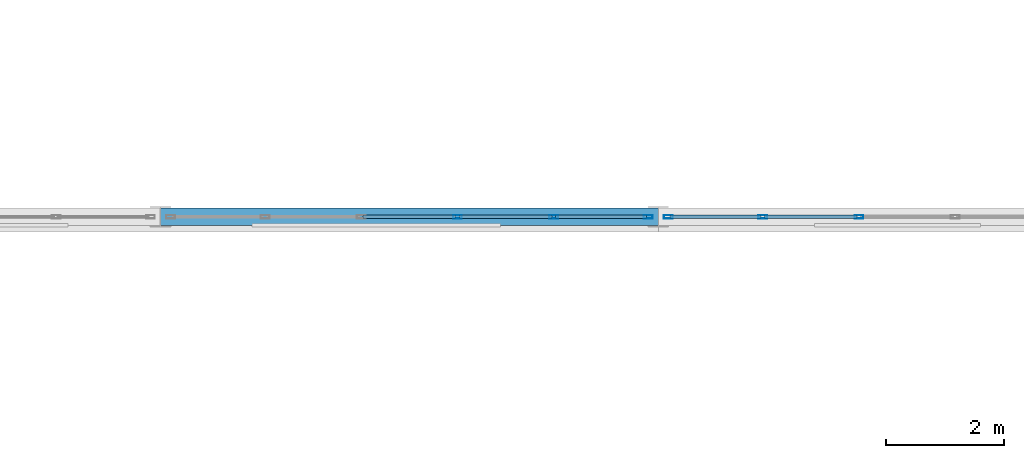
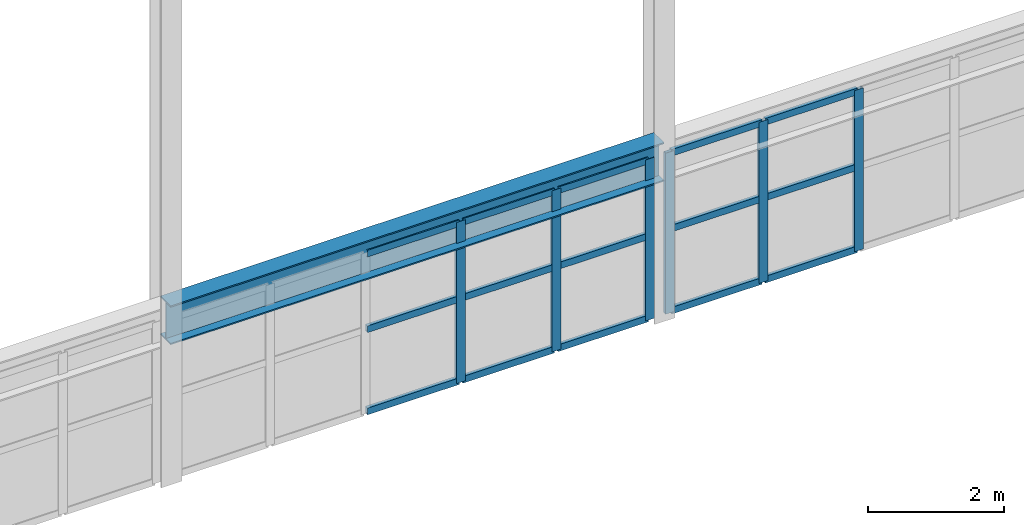
# One storey, part 85 of 218: 21 members, 1 beam, 2 elements without a shape of their own.
"""IFC4 building model written with IfcOpenShell, lengths in metres."""

from ifc_helpers import new_model, si_unit, direction, frame, origin, origin_2d, place, context, subcontext, project, spatial, hollow_rectangle, i_section, extrude, material, material_profile, profile_set, type_object, element, aggregate, save


model = new_model("IFC4")

# Units and contexts
model_context = context("Model", 3, precision=1e-05, world=origin(), true_north=direction((0.0, 1.0)))
body_context = subcontext(model_context, "Body", "Model", "MODEL_VIEW")
ifc_project = project(units=[si_unit("LENGTHUNIT", "METRE"), si_unit("AREAUNIT", "SQUARE_METRE"), si_unit("VOLUMEUNIT", "CUBIC_METRE"), si_unit("PLANEANGLEUNIT", "RADIAN"), si_unit("MASSUNIT", "GRAM", prefix="KILO")], contexts=[model_context])

# Site, building, storey
site_placement = place(None, origin())
site = spatial("IfcSite", under=ifc_project, at=site_placement, CompositionType="ELEMENT")
building_placement = place(site_placement, origin())
building = spatial("IfcBuilding", under=site, at=building_placement, Name="Kazenagashi Tramway Depot", CompositionType="ELEMENT")
storey_placement = place(building_placement, frame((0.0, 0.0, 6.0)))
storey = spatial("IfcBuildingStorey", under=building, at=storey_placement, Name="L02", CompositionType="ELEMENT", Elevation=6.0)

# Beam
ifc_material_1 = material(Name="Steel SN490B", Category="steel")
ifc_material_profile_1 = material_profile(ifc_material_1, i_section(OverallWidth=0.3, OverallDepth=0.7, WebThickness=0.013, FlangeThickness=0.024, at=origin_2d()), Name="H-700x300x13x24")
ifc_profile_set_1 = profile_set([ifc_material_profile_1], Name="Steel SN490B")
beam_type = type_object("IfcBeamType", Name="G-02", PredefinedType="BEAM", material=ifc_profile_set_1)
beam_placement = place(storey_placement, frame((103.6, 54.9, 2.85), z_axis=(1.0, 0.0, 0.0), x_axis=(0.0, 1.0, 0.0)))
element("IfcBeam", 1, at=beam_placement, inside=storey, type_object=beam_type, Name="Beam G-02 BM-1180", PredefinedType="BEAM", context=body_context, shape_type="SweptSolid", body=[
    extrude(i_section(OverallWidth=0.3, OverallDepth=0.7, WebThickness=0.013, FlangeThickness=0.024, at=origin_2d()), origin(), (0.0, 0.0, 1.0), 8.4),
])

# Curtain wall, members
ifc_material_2 = material(Name="Anodised Aluminium and Low-E Glazing", Category="aluminium")
curtain_wall_type = type_object("IfcCurtainWallType", Name="CW-21", PredefinedType="USERDEFINED", material=ifc_material_2)
curtain_wall_1_placement = place(storey_placement, origin())
curtain_wall_1 = element("IfcCurtainWall", 2, at=curtain_wall_1_placement, inside=storey, type_object=curtain_wall_type, Name="Industrial Glazed Screen CW-21 CW-0114", ObjectType="GLAZED SCREEN", PredefinedType="USERDEFINED")
ifc_material_3 = material(Name="Anodised Aluminium", Category="aluminium")
ifc_material_profile_2 = material_profile(ifc_material_3, hollow_rectangle(XDim=0.06, YDim=0.15, WallThickness=0.004, at=origin_2d()), Name="RHS-150x60x4")
ifc_profile_set_2 = profile_set([ifc_material_profile_2], Name="Anodised Aluminium")
member_type_1 = type_object("IfcMemberType", Name="ML-01", PredefinedType="MULLION", material=ifc_profile_set_2)
member_1_placement = place(storey_placement, frame((108.612, 54.9, 0.0), z_axis=(0.0, 0.0, 1.0), x_axis=(0.0, 1.0, 0.0)))
member_1 = element("IfcMember", 3, at=member_1_placement, type_object=member_type_1, Name="CW-21 mullion 4", PredefinedType="MULLION", context=body_context, shape_type="SweptSolid", body=[
    extrude(hollow_rectangle(XDim=0.06, YDim=0.15, WallThickness=0.004, at=origin_2d()), origin(), (0.0, 0.0, 1.0), 2.9),
])
member_2_placement = place(storey_placement, frame((110.236, 54.9, 0.0), z_axis=(0.0, 0.0, 1.0), x_axis=(0.0, 1.0, 0.0)))
member_2 = element("IfcMember", 4, at=member_2_placement, type_object=member_type_1, Name="CW-21 mullion 5", PredefinedType="MULLION", context=body_context, shape_type="SweptSolid", body=[
    extrude(hollow_rectangle(XDim=0.06, YDim=0.15, WallThickness=0.004, at=origin_2d()), origin(), (0.0, 0.0, 1.0), 2.9),
])
member_3_placement = place(storey_placement, frame((111.83, 54.9, 0.0), z_axis=(0.0, 0.0, 1.0), x_axis=(0.0, 1.0, 0.0)))
member_3 = element("IfcMember", 5, at=member_3_placement, type_object=member_type_1, Name="CW-21 mullion 6", PredefinedType="MULLION", context=body_context, shape_type="SweptSolid", body=[
    extrude(hollow_rectangle(XDim=0.06, YDim=0.15, WallThickness=0.004, at=origin_2d()), origin(), (0.0, 0.0, 1.0), 2.9),
])

curtain_wall_2_placement = place(storey_placement, origin())
curtain_wall_2 = element("IfcCurtainWall", 6, at=curtain_wall_2_placement, inside=storey, type_object=curtain_wall_type, Name="Industrial Glazed Screen CW-21 CW-0115", ObjectType="GLAZED SCREEN", PredefinedType="USERDEFINED")
member_4_placement = place(storey_placement, frame((112.17, 54.9, 0.0), z_axis=(0.0, 0.0, 1.0), x_axis=(0.0, 1.0, 0.0)))
member_4 = element("IfcMember", 7, at=member_4_placement, type_object=member_type_1, Name="CW-21 mullion 1", PredefinedType="MULLION", context=body_context, shape_type="SweptSolid", body=[
    extrude(hollow_rectangle(XDim=0.06, YDim=0.15, WallThickness=0.004, at=origin_2d()), origin(), (0.0, 0.0, 1.0), 2.9),
])
member_5_placement = place(storey_placement, frame((113.764, 54.9, 0.0), z_axis=(0.0, 0.0, 1.0), x_axis=(0.0, 1.0, 0.0)))
member_5 = element("IfcMember", 8, at=member_5_placement, type_object=member_type_1, Name="CW-21 mullion 2", PredefinedType="MULLION", context=body_context, shape_type="SweptSolid", body=[
    extrude(hollow_rectangle(XDim=0.06, YDim=0.15, WallThickness=0.004, at=origin_2d()), origin(), (0.0, 0.0, 1.0), 2.9),
])
member_6_placement = place(storey_placement, frame((115.388, 54.9, 0.0), z_axis=(0.0, 0.0, 1.0), x_axis=(0.0, 1.0, 0.0)))
member_6 = element("IfcMember", 9, at=member_6_placement, type_object=member_type_1, Name="CW-21 mullion 3", PredefinedType="MULLION", context=body_context, shape_type="SweptSolid", body=[
    extrude(hollow_rectangle(XDim=0.06, YDim=0.15, WallThickness=0.004, at=origin_2d()), origin(), (0.0, 0.0, 1.0), 2.9),
])

# Member
ifc_material_profile_3 = material_profile(ifc_material_3, hollow_rectangle(XDim=0.06, YDim=0.12, WallThickness=0.004, at=origin_2d()), Name="RHS-120x60x4")
ifc_profile_set_3 = profile_set([ifc_material_profile_3], Name="Anodised Aluminium")
member_type_2 = type_object("IfcMemberType", Name="TR-01", PredefinedType="USERDEFINED", material=ifc_profile_set_3)
member_7_placement = place(storey_placement, frame((107.018, 54.9, 0.03), z_axis=(1.0, 0.0, 0.0), x_axis=(0.0, 1.0, 0.0)))
member_7 = element("IfcMember", 10, at=member_7_placement, type_object=member_type_2, Name="CW-21 transom 3.1", ObjectType="TRANSOM", PredefinedType="USERDEFINED", context=body_context, shape_type="SweptSolid", body=[
    extrude(hollow_rectangle(XDim=0.06, YDim=0.12, WallThickness=0.004, at=origin_2d()), origin(), (0.0, 0.0, 1.0), 1.564),
])

member_8_placement = place(storey_placement, frame((107.018, 54.9, 1.508), z_axis=(1.0, 0.0, 0.0), x_axis=(0.0, 1.0, 0.0)))
member_8 = element("IfcMember", 11, at=member_8_placement, type_object=member_type_2, Name="CW-21 transom 3.2", ObjectType="TRANSOM", PredefinedType="USERDEFINED", context=body_context, shape_type="SweptSolid", body=[
    extrude(hollow_rectangle(XDim=0.06, YDim=0.12, WallThickness=0.004, at=origin_2d()), origin(), (0.0, 0.0, 1.0), 1.564),
])

member_9_placement = place(storey_placement, frame((107.018, 54.9, 2.87), z_axis=(1.0, 0.0, 0.0), x_axis=(0.0, 1.0, 0.0)))
member_9 = element("IfcMember", 12, at=member_9_placement, type_object=member_type_2, Name="CW-21 transom 3.3", ObjectType="TRANSOM", PredefinedType="USERDEFINED", context=body_context, shape_type="SweptSolid", body=[
    extrude(hollow_rectangle(XDim=0.06, YDim=0.12, WallThickness=0.004, at=origin_2d()), origin(), (0.0, 0.0, 1.0), 1.564),
])

member_10_placement = place(storey_placement, frame((108.642, 54.9, 0.03), z_axis=(1.0, 0.0, 0.0), x_axis=(0.0, 1.0, 0.0)))
member_10 = element("IfcMember", 13, at=member_10_placement, type_object=member_type_2, Name="CW-21 transom 4.1", ObjectType="TRANSOM", PredefinedType="USERDEFINED", context=body_context, shape_type="SweptSolid", body=[
    extrude(hollow_rectangle(XDim=0.06, YDim=0.12, WallThickness=0.004, at=origin_2d()), origin(), (0.0, 0.0, 1.0), 1.564),
])

member_11_placement = place(storey_placement, frame((108.642, 54.9, 1.508), z_axis=(1.0, 0.0, 0.0), x_axis=(0.0, 1.0, 0.0)))
member_11 = element("IfcMember", 14, at=member_11_placement, type_object=member_type_2, Name="CW-21 transom 4.2", ObjectType="TRANSOM", PredefinedType="USERDEFINED", context=body_context, shape_type="SweptSolid", body=[
    extrude(hollow_rectangle(XDim=0.06, YDim=0.12, WallThickness=0.004, at=origin_2d()), origin(), (0.0, 0.0, 1.0), 1.564),
])

member_12_placement = place(storey_placement, frame((108.642, 54.9, 2.87), z_axis=(1.0, 0.0, 0.0), x_axis=(0.0, 1.0, 0.0)))
member_12 = element("IfcMember", 15, at=member_12_placement, type_object=member_type_2, Name="CW-21 transom 4.3", ObjectType="TRANSOM", PredefinedType="USERDEFINED", context=body_context, shape_type="SweptSolid", body=[
    extrude(hollow_rectangle(XDim=0.06, YDim=0.12, WallThickness=0.004, at=origin_2d()), origin(), (0.0, 0.0, 1.0), 1.564),
])

member_13_placement = place(storey_placement, frame((110.266, 54.9, 0.03), z_axis=(1.0, 0.0, 0.0), x_axis=(0.0, 1.0, 0.0)))
member_13 = element("IfcMember", 16, at=member_13_placement, type_object=member_type_2, Name="CW-21 transom 5.1", ObjectType="TRANSOM", PredefinedType="USERDEFINED", context=body_context, shape_type="SweptSolid", body=[
    extrude(hollow_rectangle(XDim=0.06, YDim=0.12, WallThickness=0.004, at=origin_2d()), origin(), (0.0, 0.0, 1.0), 1.534),
])

member_14_placement = place(storey_placement, frame((110.266, 54.9, 1.508), z_axis=(1.0, 0.0, 0.0), x_axis=(0.0, 1.0, 0.0)))
member_14 = element("IfcMember", 17, at=member_14_placement, type_object=member_type_2, Name="CW-21 transom 5.2", ObjectType="TRANSOM", PredefinedType="USERDEFINED", context=body_context, shape_type="SweptSolid", body=[
    extrude(hollow_rectangle(XDim=0.06, YDim=0.12, WallThickness=0.004, at=origin_2d()), origin(), (0.0, 0.0, 1.0), 1.534),
])

member_15_placement = place(storey_placement, frame((110.266, 54.9, 2.87), z_axis=(1.0, 0.0, 0.0), x_axis=(0.0, 1.0, 0.0)))
member_15 = element("IfcMember", 18, at=member_15_placement, type_object=member_type_2, Name="CW-21 transom 5.3", ObjectType="TRANSOM", PredefinedType="USERDEFINED", context=body_context, shape_type="SweptSolid", body=[
    extrude(hollow_rectangle(XDim=0.06, YDim=0.12, WallThickness=0.004, at=origin_2d()), origin(), (0.0, 0.0, 1.0), 1.534),
])

aggregate(curtain_wall_1, [member_1, member_2, member_3, member_7, member_8, member_9, member_10, member_11, member_12, member_13, member_14, member_15])

member_16_placement = place(storey_placement, frame((112.2, 54.9, 0.03), z_axis=(1.0, 0.0, 0.0), x_axis=(0.0, 1.0, 0.0)))
member_16 = element("IfcMember", 19, at=member_16_placement, type_object=member_type_2, Name="CW-21 transom 1.1", ObjectType="TRANSOM", PredefinedType="USERDEFINED", context=body_context, shape_type="SweptSolid", body=[
    extrude(hollow_rectangle(XDim=0.06, YDim=0.12, WallThickness=0.004, at=origin_2d()), origin(), (0.0, 0.0, 1.0), 1.534),
])

member_17_placement = place(storey_placement, frame((112.2, 54.9, 1.508), z_axis=(1.0, 0.0, 0.0), x_axis=(0.0, 1.0, 0.0)))
member_17 = element("IfcMember", 20, at=member_17_placement, type_object=member_type_2, Name="CW-21 transom 1.2", ObjectType="TRANSOM", PredefinedType="USERDEFINED", context=body_context, shape_type="SweptSolid", body=[
    extrude(hollow_rectangle(XDim=0.06, YDim=0.12, WallThickness=0.004, at=origin_2d()), origin(), (0.0, 0.0, 1.0), 1.534),
])

member_18_placement = place(storey_placement, frame((112.2, 54.9, 2.87), z_axis=(1.0, 0.0, 0.0), x_axis=(0.0, 1.0, 0.0)))
member_18 = element("IfcMember", 21, at=member_18_placement, type_object=member_type_2, Name="CW-21 transom 1.3", ObjectType="TRANSOM", PredefinedType="USERDEFINED", context=body_context, shape_type="SweptSolid", body=[
    extrude(hollow_rectangle(XDim=0.06, YDim=0.12, WallThickness=0.004, at=origin_2d()), origin(), (0.0, 0.0, 1.0), 1.534),
])

member_19_placement = place(storey_placement, frame((113.794, 54.9, 0.03), z_axis=(1.0, 0.0, 0.0), x_axis=(0.0, 1.0, 0.0)))
member_19 = element("IfcMember", 22, at=member_19_placement, type_object=member_type_2, Name="CW-21 transom 2.1", ObjectType="TRANSOM", PredefinedType="USERDEFINED", context=body_context, shape_type="SweptSolid", body=[
    extrude(hollow_rectangle(XDim=0.06, YDim=0.12, WallThickness=0.004, at=origin_2d()), origin(), (0.0, 0.0, 1.0), 1.564),
])

member_20_placement = place(storey_placement, frame((113.794, 54.9, 1.508), z_axis=(1.0, 0.0, 0.0), x_axis=(0.0, 1.0, 0.0)))
member_20 = element("IfcMember", 23, at=member_20_placement, type_object=member_type_2, Name="CW-21 transom 2.2", ObjectType="TRANSOM", PredefinedType="USERDEFINED", context=body_context, shape_type="SweptSolid", body=[
    extrude(hollow_rectangle(XDim=0.06, YDim=0.12, WallThickness=0.004, at=origin_2d()), origin(), (0.0, 0.0, 1.0), 1.564),
])

member_21_placement = place(storey_placement, frame((113.794, 54.9, 2.87), z_axis=(1.0, 0.0, 0.0), x_axis=(0.0, 1.0, 0.0)))
member_21 = element("IfcMember", 24, at=member_21_placement, type_object=member_type_2, Name="CW-21 transom 2.3", ObjectType="TRANSOM", PredefinedType="USERDEFINED", context=body_context, shape_type="SweptSolid", body=[
    extrude(hollow_rectangle(XDim=0.06, YDim=0.12, WallThickness=0.004, at=origin_2d()), origin(), (0.0, 0.0, 1.0), 1.564),
])

aggregate(curtain_wall_2, [member_4, member_5, member_6, member_16, member_17, member_18, member_19, member_20, member_21])

save(model, "model.ifc")
